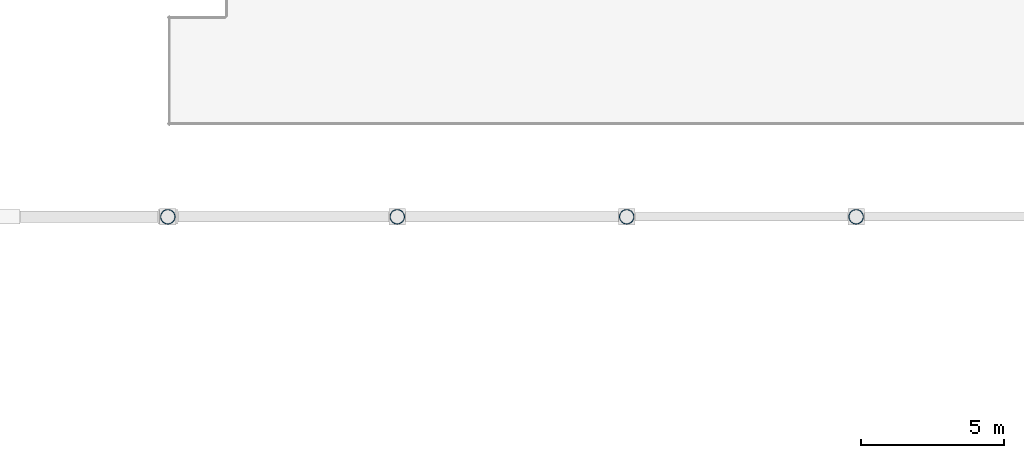
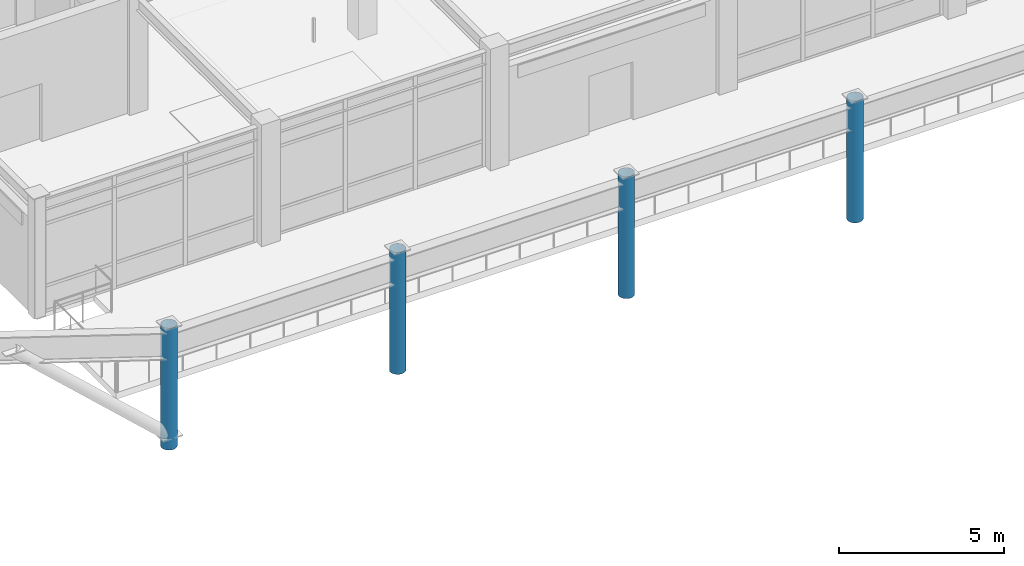
# One storey, part 7 of 78: 4 columns.
"""IFC4 building model written with IfcOpenShell, lengths in metres."""

from ifc_helpers import new_model, si_unit, direction, frame, origin, origin_2d, place, context, subcontext, project, spatial, hollow_circle, extrude, material, material_profile, profile_set, type_object, element, save


model = new_model("IFC4")

# Units and contexts
model_context = context("Model", 3, precision=1e-05, world=origin(), true_north=direction((0.0, 1.0)))
body_context = subcontext(model_context, "Body", "Model", "MODEL_VIEW")
ifc_project = project(units=[si_unit("LENGTHUNIT", "METRE"), si_unit("AREAUNIT", "SQUARE_METRE"), si_unit("VOLUMEUNIT", "CUBIC_METRE"), si_unit("PLANEANGLEUNIT", "RADIAN"), si_unit("MASSUNIT", "GRAM", prefix="KILO")], contexts=[model_context])

# Site, building, storey
site_placement = place(None, origin())
site = spatial("IfcSite", under=ifc_project, at=site_placement, CompositionType="ELEMENT")
building_placement = place(site_placement, origin())
building = spatial("IfcBuilding", under=site, at=building_placement, Name="Solmirada Galleria", CompositionType="ELEMENT")
storey_placement = place(building_placement, frame((0.0, 0.0, 23.89990234375)))
storey = spatial("IfcBuildingStorey", under=building, at=storey_placement, Name="L05", CompositionType="ELEMENT", Elevation=23.89990234375)

# Columns
ifc_material = material(Name="Steel S355 / ASTM A500 Grade C", Category="steel")
ifc_material_profile = material_profile(ifc_material, hollow_circle(Radius=0.25390625, WallThickness=0.01171875, at=origin_2d()), Name="HSS20.000X0.500")
ifc_profile_set = profile_set([ifc_material_profile], Name="Steel S355 / ASTM A500 Grade C")
column_type = type_object("IfcColumnType", Name="COL-CHS20", PredefinedType="COLUMN", material=ifc_profile_set)
for number, where, z_axis, x_axis, name in (
    (1, (40.0, 88.0, 0.0), (0.0, 0.0, 1.0), (1.0, 0.0, 0.0), "Structural column L05-0051"),
    (2, (48.0, 88.0, 0.0), (0.0, 0.0, 1.0), (1.0, 0.0, 0.0), "Structural column L05-0118"),
    (3, (56.0, 88.0, 0.0), (0.0, 0.0, 1.0), (1.0, 0.0, 0.0), "Structural column L05-0185"),
    (4, (64.0, 88.0, 0.0), (0.0, 0.0, 1.0), (1.0, 0.0, 0.0), "Structural column L05-0249"),
):
    element("IfcColumn", number, at=place(storey_placement, frame(where, z_axis=z_axis, x_axis=x_axis)), inside=storey, type_object=column_type, Name=name, PredefinedType="COLUMN", context=body_context, shape_type="SweptSolid", body=[
        extrude(hollow_circle(Radius=0.25390625, WallThickness=0.01171875, at=origin_2d()), origin(), (0.0, 0.0, 1.0), 4.5),
    ])

save(model, "model.ifc")
